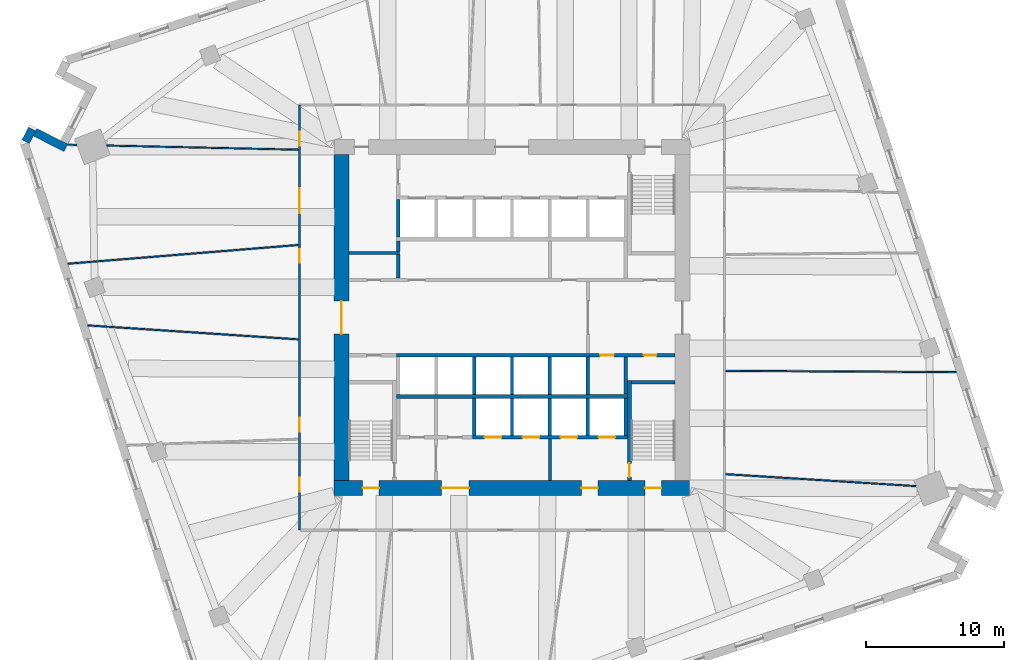
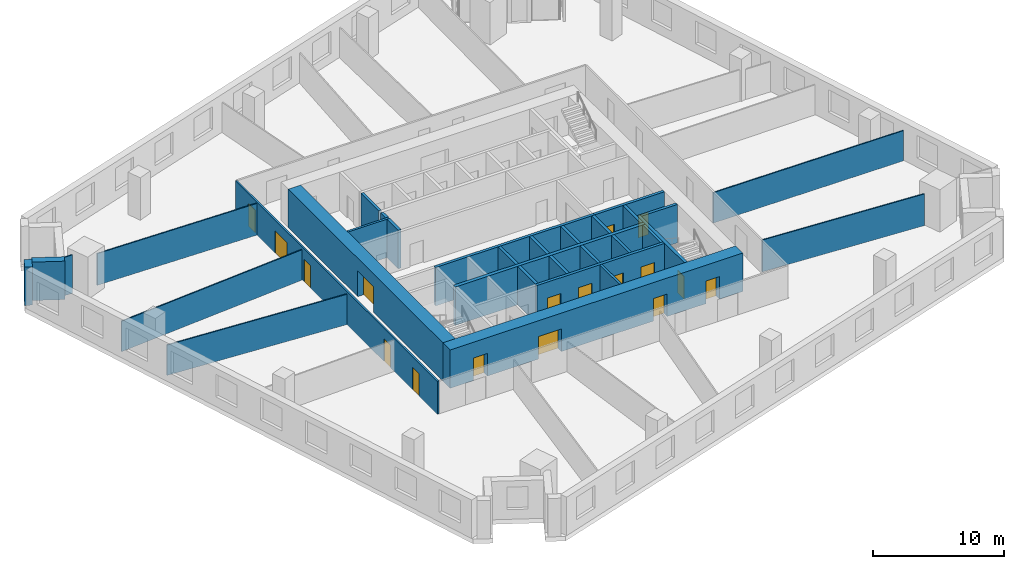
# One storey, part 7 of 12: 32 walls, 17 doors, 17 openings.
"""IFC4 building model written with IfcOpenShell, lengths in metres."""

from ifc_helpers import new_model, si_unit, direction, frame, frame_2d, origin, place, context, subcontext, project, spatial, rectangle, extrude, material, layer, layer_set, type_object, element, fill, save


model = new_model("IFC4")

# Units and contexts
model_context = context("Model", 3, precision=1e-05, world=origin(), true_north=direction((0.0, 1.0)))
body_context = subcontext(model_context, "Body", "Model", "MODEL_VIEW")
ifc_project = project(units=[si_unit("LENGTHUNIT", "METRE"), si_unit("AREAUNIT", "SQUARE_METRE"), si_unit("VOLUMEUNIT", "CUBIC_METRE"), si_unit("PLANEANGLEUNIT", "RADIAN"), si_unit("MASSUNIT", "GRAM", prefix="KILO")], contexts=[model_context])

# Site, building, storey
site_placement = place(None, origin())
site = spatial("IfcSite", under=ifc_project, at=site_placement, CompositionType="ELEMENT")
building_placement = place(site_placement, origin())
building = spatial("IfcBuilding", under=site, at=building_placement, Name="Dilmun Exchange Tower", CompositionType="ELEMENT")
storey_placement = place(building_placement, frame((0.0, 0.0, 98.10009765625)))
storey = spatial("IfcBuildingStorey", under=building, at=storey_placement, Name="L22", CompositionType="ELEMENT", Elevation=98.10009765625)

# Walls
ifc_material_1 = material(Name="Concrete C40/50", Category="concrete")
ifc_layer_1 = layer(ifc_material_1, 0.199951171875)
ifc_layer_set_1 = layer_set([ifc_layer_1], Name="Concrete C40/50")
wall_type_1 = type_object("IfcWallType", Name="Core partition wall 200", PredefinedType="PARTITIONING", material=ifc_layer_set_1)
wall_1_placement = place(storey_placement, frame((2.75, -11.794921875, 0.0), z_axis=(0.0, 0.0, 1.0), x_axis=(0.0, 1.0, 0.0)))
element("IfcWall", 1, at=wall_1_placement, inside=storey, type_object=wall_type_1, Name="L22 core partition wall 02", PredefinedType="PARTITIONING", context=body_context, shape_type="SweptSolid", body=[
    extrude(rectangle(XDim=2.989990234375, YDim=0.199951171875, at=frame_2d((1.4951171875, 0.0))), origin(), (0.0, 0.0, 1.0), 3.579833984375),
])
wall_2_placement = place(storey_placement, frame((-11.794921875, 4.675048828125, 0.0), z_axis=(0.0, 0.0, 1.0), x_axis=(1.0, 0.0, 0.0)))
element("IfcWall", 2, at=wall_2_placement, inside=storey, type_object=wall_type_1, Name="L22 core partition wall 14", PredefinedType="PARTITIONING", context=body_context, shape_type="SweptSolid", body=[
    extrude(rectangle(XDim=3.64501953125, YDim=0.199951171875, at=frame_2d((1.822509765625, 0.0))), origin(), (0.0, 0.0, 1.0), 3.579833984375),
])
ifc_layer_2 = layer(ifc_material_1, 0.25)
ifc_layer_set_2 = layer_set([ifc_layer_2], Name="Concrete C40/50")
wall_type_2 = type_object("IfcWallType", Name="Core partition wall 250", PredefinedType="PARTITIONING", material=ifc_layer_set_2)
wall_3_placement = place(storey_placement, frame((8.25, -5.544921875, 0.0), z_axis=(0.0, 0.0, 1.0), x_axis=(0.0, 1.0, 0.0)))
element("IfcWall", 3, at=wall_3_placement, inside=storey, type_object=wall_type_2, Name="L22 core partition wall 06", PredefinedType="PARTITIONING", context=body_context, shape_type="SweptSolid", body=[
    extrude(rectangle(XDim=2.68994140625, YDim=0.25, at=frame_2d((1.344970703125, 0.0))), origin(), (0.0, 0.0, 1.0), 3.579833984375),
])

# Wall, openings, doors
wall_4_placement = place(storey_placement, frame((5.6298828125, -2.72509765625, 0.0), z_axis=(0.0, 0.0, 1.0), x_axis=(1.0, 0.0, 0.0)))
wall_4 = element("IfcWall", 4, at=wall_4_placement, inside=storey, type_object=wall_type_2, Name="L22 core partition wall 08", PredefinedType="PARTITIONING", context=body_context, shape_type="SweptSolid", body=[
    extrude(rectangle(XDim=6.1650390625, YDim=0.25, at=frame_2d((3.08251953125, 0.0))), origin(), (0.0, 0.0, 1.0), 3.579833984375),
])
opening_1_placement = place(wall_4_placement, frame((0.7451171875, 0.0, 0.0)))
opening_1 = element("IfcOpeningElement", 5, at=opening_1_placement, cuts=wall_4, Name="Opening CD4", PredefinedType="OPENING", context=body_context, shape_type="SweptSolid", body=[
    extrude(rectangle(XDim=1.0, YDim=2.10009765625, at=frame_2d((0.5, 1.050048828125))), frame((0.0, 0.135009765625, 0.0), z_axis=(0.0, -1.0, 0.0), x_axis=(1.0, 0.0, 0.0)), (0.0, 0.0, 1.0), 0.27001953125),
])
opening_2_placement = place(wall_4_placement, frame((3.919921875, 0.0, 0.0)))
opening_2 = element("IfcOpeningElement", 6, at=opening_2_placement, cuts=wall_4, Name="Opening CD6", PredefinedType="OPENING", context=body_context, shape_type="SweptSolid", body=[
    extrude(rectangle(XDim=0.89990234375, YDim=2.10009765625, at=frame_2d((0.449951171875, 1.050048828125))), frame((0.0, 0.135009765625, 0.0), z_axis=(0.0, -1.0, 0.0), x_axis=(1.0, 0.0, 0.0)), (0.0, 0.0, 1.0), 0.27001953125),
])
ifc_material_2 = material(Name="Fire-rated steel door set", Category="steel")
door_type_1 = type_object("IfcDoorType", Name="Core room door 1000x2100", OperationType="SINGLE_SWING_LEFT", PredefinedType="DOOR", material=ifc_material_2)
door_1_placement = place(opening_1_placement, origin())
door_1 = element("IfcDoor", 7, at=door_1_placement, inside=storey, type_object=door_type_1, Name="L22 door Cleaners' store", OperationType="SINGLE_SWING_LEFT", OverallHeight=2.10009765625, OverallWidth=1.0, PredefinedType="DOOR", context=body_context, shape_type="SweptSolid", body=[
    extrude(rectangle(XDim=1.0, YDim=2.10009765625, at=frame_2d((0.5, 1.050048828125))), frame((0.0, 0.02490234375, 0.0), z_axis=(0.0, -1.0, 0.0), x_axis=(1.0, 0.0, 0.0)), (0.0, 0.0, 1.0), 0.050048828125),
])
fill(opening_1, door_1)
door_type_2 = type_object("IfcDoorType", Name="Core room door 900x2100", OperationType="SINGLE_SWING_LEFT", PredefinedType="DOOR", material=ifc_material_2)
door_2_placement = place(opening_2_placement, origin())
door_2 = element("IfcDoor", 8, at=door_2_placement, inside=storey, type_object=door_type_2, Name="L22 door Comms riser", OperationType="SINGLE_SWING_LEFT", OverallHeight=2.10009765625, OverallWidth=0.89990234375, PredefinedType="DOOR", context=body_context, shape_type="SweptSolid", body=[
    extrude(rectangle(XDim=0.89990234375, YDim=2.10009765625, at=frame_2d((0.449951171875, 1.050048828125))), frame((0.0, 0.02490234375, 0.0), z_axis=(0.0, -1.0, 0.0), x_axis=(1.0, 0.0, 0.0)), (0.0, 0.0, 1.0), 0.050048828125),
])
fill(opening_2, door_2)

# Walls
wall_5_placement = place(storey_placement, frame((-8.25, 2.85498046875, 0.0), z_axis=(0.0, 0.0, 1.0), x_axis=(0.0, 1.0, 0.0)))
element("IfcWall", 9, at=wall_5_placement, inside=storey, type_object=wall_type_2, Name="L22 core partition wall 11", PredefinedType="PARTITIONING", context=body_context, shape_type="SweptSolid", body=[
    extrude(rectangle(XDim=1.715087890625, YDim=0.25, at=frame_2d((0.857421875, 0.0))), origin(), (0.0, 0.0, 1.0), 3.579833984375),
])
wall_6_placement = place(storey_placement, frame((-8.25, 4.780029296875, 0.0), z_axis=(0.0, 0.0, 1.0), x_axis=(0.0, 1.0, 0.0)))
element("IfcWall", 10, at=wall_6_placement, inside=storey, type_object=wall_type_2, Name="L22 core partition wall 15", PredefinedType="PARTITIONING", context=body_context, shape_type="SweptSolid", body=[
    extrude(rectangle(XDim=0.764892578125, YDim=0.25, at=frame_2d((0.38232421875, 0.0))), origin(), (0.0, 0.0, 1.0), 3.579833984375),
])

# Wall, openings, doors
ifc_material_3 = material(Name="Concrete C80/95", Category="concrete")
ifc_layer_3 = layer(ifc_material_3, 1.10009765625)
ifc_layer_set_3 = layer_set([ifc_layer_3], Name="Concrete C80/95")
wall_type_3 = type_object("IfcWallType", Name="Core shear wall 1100 Concrete C80/95", PredefinedType="SHEAR", material=ifc_layer_set_3)
wall_7_placement = place(storey_placement, frame((-12.89990234375, -12.35009765625, 0.0), z_axis=(0.0, 0.0, 1.0), x_axis=(1.0, 0.0, 0.0)))
wall_7 = element("IfcWall", 11, at=wall_7_placement, inside=storey, type_object=wall_type_3, Name="L22 core shear wall S", PredefinedType="SHEAR", context=body_context, shape_type="SweptSolid", body=[
    extrude(rectangle(XDim=25.7998046875, YDim=1.10009765625, at=frame_2d((12.89990234375, 0.0))), origin(), (0.0, 0.0, 1.0), 3.579833984375),
])
opening_3_placement = place(wall_7_placement, frame((7.800048828125, 0.0, 0.0)))
opening_3 = element("IfcOpeningElement", 12, at=opening_3_placement, cuts=wall_7, Name="Opening CD2", PredefinedType="OPENING", context=body_context, shape_type="SweptSolid", body=[
    extrude(rectangle(XDim=2.0, YDim=2.10009765625, at=frame_2d((1.0, 1.050048828125))), frame((0.0, 0.56005859375, 0.0), z_axis=(0.0, -1.0, 0.0), x_axis=(1.0, 0.0, 0.0)), (0.0, 0.0, 1.0), 1.1201171875),
])
opening_4_placement = place(wall_7_placement, frame((17.925048828125, 0.0, 0.0)))
opening_4 = element("IfcOpeningElement", 13, at=opening_4_placement, cuts=wall_7, Name="Opening CD3", PredefinedType="OPENING", context=body_context, shape_type="SweptSolid", body=[
    extrude(rectangle(XDim=1.199951171875, YDim=2.10009765625, at=frame_2d((0.60009765625, 1.050048828125))), frame((0.0, 0.56005859375, 0.0), z_axis=(0.0, -1.0, 0.0), x_axis=(1.0, 0.0, 0.0)), (0.0, 0.0, 1.0), 1.1201171875),
])
opening_5_placement = place(wall_7_placement, frame((2.074951171875, 0.0, 0.0)))
opening_5 = element("IfcOpeningElement", 14, at=opening_5_placement, cuts=wall_7, Name="Opening CD3", PredefinedType="OPENING", context=body_context, shape_type="SweptSolid", body=[
    extrude(rectangle(XDim=1.199951171875, YDim=2.10009765625, at=frame_2d((0.60009765625, 1.050048828125))), frame((0.0, 0.56005859375, 0.0), z_axis=(0.0, -1.0, 0.0), x_axis=(1.0, 0.0, 0.0)), (0.0, 0.0, 1.0), 1.1201171875),
])
opening_6_placement = place(wall_7_placement, frame((22.52490234375, 0.0, 0.0)))
opening_6 = element("IfcOpeningElement", 15, at=opening_6_placement, cuts=wall_7, Name="Opening CD3", PredefinedType="OPENING", context=body_context, shape_type="SweptSolid", body=[
    extrude(rectangle(XDim=1.199951171875, YDim=2.10009765625, at=frame_2d((0.60009765625, 1.050048828125))), frame((0.0, 0.56005859375, 0.0), z_axis=(0.0, -1.0, 0.0), x_axis=(1.0, 0.0, 0.0)), (0.0, 0.0, 1.0), 1.1201171875),
])
door_type_3 = type_object("IfcDoorType", Name="Core service door 2000x2100", OperationType="DOUBLE_DOOR_DOUBLE_SWING", PredefinedType="DOOR", material=ifc_material_2)
door_3_placement = place(opening_3_placement, origin())
door_3 = element("IfcDoor", 16, at=door_3_placement, inside=storey, type_object=door_type_3, Name="L22 door South service lobby", OperationType="SINGLE_SWING_LEFT", OverallHeight=2.10009765625, OverallWidth=2.0, PredefinedType="DOOR", context=body_context, shape_type="SweptSolid", body=[
    extrude(rectangle(XDim=2.0, YDim=2.10009765625, at=frame_2d((1.0, 1.050048828125))), frame((0.0, 0.02490234375, 0.0), z_axis=(0.0, -1.0, 0.0), x_axis=(1.0, 0.0, 0.0)), (0.0, 0.0, 1.0), 0.050048828125),
])
fill(opening_3, door_3)
door_type_4 = type_object("IfcDoorType", Name="Stair exit door 1200x2100", OperationType="SINGLE_SWING_LEFT", PredefinedType="DOOR", material=ifc_material_2)
door_4_placement = place(opening_4_placement, origin())
door_4 = element("IfcDoor", 17, at=door_4_placement, inside=storey, type_object=door_type_4, Name="L22 door Fire-fighting lobby", OperationType="SINGLE_SWING_LEFT", OverallHeight=2.10009765625, OverallWidth=1.199951171875, PredefinedType="DOOR", context=body_context, shape_type="SweptSolid", body=[
    extrude(rectangle(XDim=1.199951171875, YDim=2.10009765625, at=frame_2d((0.60009765625, 1.050048828125))), frame((0.0, 0.02490234375, 0.0), z_axis=(0.0, -1.0, 0.0), x_axis=(1.0, 0.0, 0.0)), (0.0, 0.0, 1.0), 0.050048828125),
])
fill(opening_4, door_4)
door_5_placement = place(opening_5_placement, origin())
door_5 = element("IfcDoor", 18, at=door_5_placement, inside=storey, type_object=door_type_4, Name="L22 door Stair ST2", OperationType="SINGLE_SWING_LEFT", OverallHeight=2.10009765625, OverallWidth=1.199951171875, PredefinedType="DOOR", context=body_context, shape_type="SweptSolid", body=[
    extrude(rectangle(XDim=1.199951171875, YDim=2.10009765625, at=frame_2d((0.60009765625, 1.050048828125))), frame((0.0, 0.02490234375, 0.0), z_axis=(0.0, -1.0, 0.0), x_axis=(1.0, 0.0, 0.0)), (0.0, 0.0, 1.0), 0.050048828125),
])
fill(opening_5, door_5)
door_6_placement = place(opening_6_placement, origin())
door_6 = element("IfcDoor", 19, at=door_6_placement, inside=storey, type_object=door_type_4, Name="L22 door Stair ST3", OperationType="SINGLE_SWING_LEFT", OverallHeight=2.10009765625, OverallWidth=1.199951171875, PredefinedType="DOOR", context=body_context, shape_type="SweptSolid", body=[
    extrude(rectangle(XDim=1.199951171875, YDim=2.10009765625, at=frame_2d((0.60009765625, 1.050048828125))), frame((0.0, 0.02490234375, 0.0), z_axis=(0.0, -1.0, 0.0), x_axis=(1.0, 0.0, 0.0)), (0.0, 0.0, 1.0), 0.050048828125),
])
fill(opening_6, door_6)

# Wall, opening, door
wall_8_placement = place(storey_placement, frame((-12.35009765625, -11.800048828125, 0.0), z_axis=(0.0, 0.0, 1.0), x_axis=(0.0, 1.0, 0.0)))
wall_8 = element("IfcWall", 20, at=wall_8_placement, inside=storey, type_object=wall_type_3, Name="L22 core shear wall W", PredefinedType="SHEAR", context=body_context, shape_type="SweptSolid", body=[
    extrude(rectangle(XDim=23.60009765625, YDim=1.10009765625, at=frame_2d((11.800048828125, 0.0))), origin(), (0.0, 0.0, 1.0), 3.579833984375),
])
opening_7_placement = place(wall_8_placement, frame((10.60009765625, 0.0, 0.0)))
opening_7 = element("IfcOpeningElement", 21, at=opening_7_placement, cuts=wall_8, Name="Opening CD1", PredefinedType="OPENING", context=body_context, shape_type="SweptSolid", body=[
    extrude(rectangle(XDim=2.39990234375, YDim=2.39990234375, at=frame_2d((1.199951171875, 1.199951171875))), frame((0.0, 0.56005859375, 0.0), z_axis=(0.0, -1.0, 0.0), x_axis=(1.0, 0.0, 0.0)), (0.0, 0.0, 1.0), 1.1201171875),
])
door_type_5 = type_object("IfcDoorType", Name="Core lobby door 2400x2400", OperationType="DOUBLE_DOOR_DOUBLE_SWING", PredefinedType="DOOR", material=ifc_material_2)
door_7_placement = place(opening_7_placement, origin())
door_7 = element("IfcDoor", 22, at=door_7_placement, inside=storey, type_object=door_type_5, Name="L22 door Central lift lobby", OperationType="SINGLE_SWING_LEFT", OverallHeight=2.39990234375, OverallWidth=2.39990234375, PredefinedType="DOOR", context=body_context, shape_type="SweptSolid", body=[
    extrude(rectangle(XDim=2.39990234375, YDim=2.39990234375, at=frame_2d((1.199951171875, 1.199951171875))), frame((0.0, 0.02490234375, 0.0), z_axis=(0.0, -1.0, 0.0), x_axis=(1.0, 0.0, 0.0)), (0.0, 0.0, 1.0), 0.050048828125),
])
fill(opening_7, door_7)

# Wall, openings, doors
ifc_material_4 = material(Name="Corridor wall 150")
ifc_layer_4 = layer(ifc_material_4, 0.14990234375)
ifc_layer_set_4 = layer_set([ifc_layer_4], Name="Corridor wall 150")
wall_type_4 = type_object("IfcWallType", Name="Corridor wall 150", PredefinedType="PARTITIONING", material=ifc_layer_set_4)
wall_9_placement = place(storey_placement, frame((-15.39990234375, -15.39990234375, 0.0), z_axis=(0.0, 0.0, 1.0), x_axis=(0.0, 1.0, 0.0)))
wall_9 = element("IfcWall", 23, at=wall_9_placement, inside=storey, type_object=wall_type_4, Name="Corridor wall", PredefinedType="PARTITIONING", context=body_context, shape_type="SweptSolid", body=[
    extrude(rectangle(XDim=30.7998046875, YDim=0.14990234375, at=frame_2d((15.39990234375, 0.0))), origin(), (0.0, 0.0, 1.0), 3.079833984375),
])
opening_8_placement = place(wall_9_placement, frame((22.967041015625, 0.0, 0.0)))
opening_8 = element("IfcOpeningElement", 24, at=opening_8_placement, cuts=wall_9, Name="Opening TF20-D01", PredefinedType="OPENING", context=body_context, shape_type="SweptSolid", body=[
    extrude(rectangle(XDim=1.800048828125, YDim=2.10009765625, at=frame_2d((0.89990234375, 1.050048828125))), frame((0.0, 0.0849609375, 0.0), z_axis=(0.0, -1.0, 0.0), x_axis=(1.0, 0.0, 0.0)), (0.0, 0.0, 1.0), 0.169921875),
])
opening_9_placement = place(wall_9_placement, frame((19.369873046875, 0.0, 0.0)))
opening_9 = element("IfcOpeningElement", 25, at=opening_9_placement, cuts=wall_9, Name="Opening TF20-D02", PredefinedType="OPENING", context=body_context, shape_type="SweptSolid", body=[
    extrude(rectangle(XDim=1.0, YDim=2.10009765625, at=frame_2d((0.5, 1.050048828125))), frame((0.0, 0.0849609375, 0.0), z_axis=(0.0, -1.0, 0.0), x_axis=(1.0, 0.0, 0.0)), (0.0, 0.0, 1.0), 0.169921875),
])
opening_10_placement = place(wall_9_placement, frame((7.150390625, 0.0, 0.0)))
opening_10 = element("IfcOpeningElement", 26, at=opening_10_placement, cuts=wall_9, Name="Opening TF20-D03", PredefinedType="OPENING", context=body_context, shape_type="SweptSolid", body=[
    extrude(rectangle(XDim=1.0, YDim=2.10009765625, at=frame_2d((0.5, 1.050048828125))), frame((0.0, 0.0849609375, 0.0), z_axis=(0.0, -1.0, 0.0), x_axis=(1.0, 0.0, 0.0)), (0.0, 0.0, 1.0), 0.169921875),
])
opening_11_placement = place(wall_9_placement, frame((27.86328125, 0.0, 0.0)))
opening_11 = element("IfcOpeningElement", 27, at=opening_11_placement, cuts=wall_9, Name="Opening TF20-D05", PredefinedType="OPENING", context=body_context, shape_type="SweptSolid", body=[
    extrude(rectangle(XDim=1.0, YDim=2.10009765625, at=frame_2d((0.5, 1.050048828125))), frame((0.0, 0.0849609375, 0.0), z_axis=(0.0, -1.0, 0.0), x_axis=(1.0, 0.0, 0.0)), (0.0, 0.0, 1.0), 0.169921875),
])
opening_12_placement = place(wall_9_placement, frame((2.800048828125, 0.0, 0.0)))
opening_12 = element("IfcOpeningElement", 28, at=opening_12_placement, cuts=wall_9, Name="Opening TF20-D07", PredefinedType="OPENING", context=body_context, shape_type="SweptSolid", body=[
    extrude(rectangle(XDim=1.0, YDim=2.10009765625, at=frame_2d((0.5, 1.050048828125))), frame((0.0, 0.0849609375, 0.0), z_axis=(0.0, -1.0, 0.0), x_axis=(1.0, 0.0, 0.0)), (0.0, 0.0, 1.0), 0.169921875),
])
ifc_material_5 = material(Name="Fire door 1000 x 2100")
door_type_6 = type_object("IfcDoorType", Name="Fire door 1000 x 2100", OperationType="NOTDEFINED", PredefinedType="DOOR", material=ifc_material_5)
door_8_placement = place(opening_9_placement, origin())
door_8 = element("IfcDoor", 29, at=door_8_placement, inside=storey, type_object=door_type_6, Name="Door TF20-D02", OperationType="SINGLE_SWING_RIGHT", OverallHeight=2.10009765625, OverallWidth=1.0, PredefinedType="DOOR", context=body_context, shape_type="SweptSolid", body=[
    extrude(rectangle(XDim=1.0, YDim=2.10009765625, at=frame_2d((0.5, 1.050048828125))), frame((0.0, 0.02490234375, 0.0), z_axis=(0.0, -1.0, 0.0), x_axis=(1.0, 0.0, 0.0)), (0.0, 0.0, 1.0), 0.050048828125),
])
fill(opening_9, door_8)
door_9_placement = place(opening_10_placement, origin())
door_9 = element("IfcDoor", 30, at=door_9_placement, inside=storey, type_object=door_type_6, Name="Door TF20-D03", OperationType="SINGLE_SWING_LEFT", OverallHeight=2.10009765625, OverallWidth=1.0, PredefinedType="DOOR", context=body_context, shape_type="SweptSolid", body=[
    extrude(rectangle(XDim=1.0, YDim=2.10009765625, at=frame_2d((0.5, 1.050048828125))), frame((0.0, 0.02490234375, 0.0), z_axis=(0.0, -1.0, 0.0), x_axis=(1.0, 0.0, 0.0)), (0.0, 0.0, 1.0), 0.050048828125),
])
fill(opening_10, door_9)
door_10_placement = place(opening_11_placement, origin())
door_10 = element("IfcDoor", 31, at=door_10_placement, inside=storey, type_object=door_type_6, Name="Door TF20-D05", OperationType="SINGLE_SWING_RIGHT", OverallHeight=2.10009765625, OverallWidth=1.0, PredefinedType="DOOR", context=body_context, shape_type="SweptSolid", body=[
    extrude(rectangle(XDim=1.0, YDim=2.10009765625, at=frame_2d((0.5, 1.050048828125))), frame((0.0, 0.02490234375, 0.0), z_axis=(0.0, -1.0, 0.0), x_axis=(1.0, 0.0, 0.0)), (0.0, 0.0, 1.0), 0.050048828125),
])
fill(opening_11, door_10)
door_11_placement = place(opening_12_placement, origin())
door_11 = element("IfcDoor", 32, at=door_11_placement, inside=storey, type_object=door_type_6, Name="Door TF20-D07", OperationType="SINGLE_SWING_RIGHT", OverallHeight=2.10009765625, OverallWidth=1.0, PredefinedType="DOOR", context=body_context, shape_type="SweptSolid", body=[
    extrude(rectangle(XDim=1.0, YDim=2.10009765625, at=frame_2d((0.5, 1.050048828125))), frame((0.0, 0.02490234375, 0.0), z_axis=(0.0, -1.0, 0.0), x_axis=(1.0, 0.0, 0.0)), (0.0, 0.0, 1.0), 0.050048828125),
])
fill(opening_12, door_11)
ifc_material_6 = material(Name="Fire door pair 1800 x 2100")
door_type_7 = type_object("IfcDoorType", Name="Fire door pair 1800 x 2100", OperationType="NOTDEFINED", PredefinedType="DOOR", material=ifc_material_6)
door_12_placement = place(opening_8_placement, origin())
door_12 = element("IfcDoor", 33, at=door_12_placement, inside=storey, type_object=door_type_7, Name="Door TF20-D01", OperationType="DOUBLE_DOOR_SINGLE_SWING", OverallHeight=2.10009765625, OverallWidth=1.800048828125, PredefinedType="DOOR", context=body_context, shape_type="SweptSolid", body=[
    extrude(rectangle(XDim=1.800048828125, YDim=2.10009765625, at=frame_2d((0.89990234375, 1.050048828125))), frame((0.0, 0.02490234375, 0.0), z_axis=(0.0, -1.0, 0.0), x_axis=(1.0, 0.0, 0.0)), (0.0, 0.0, 1.0), 0.050048828125),
])
fill(opening_8, door_12)

# Walls
ifc_layer_5 = layer(ifc_material_1, 0.300048828125)
ifc_layer_set_5 = layer_set([ifc_layer_5], Name="Concrete C40/50")
wall_type_5 = type_object("IfcWallType", Name="Lift shaft shared wall 300", PredefinedType="SOLIDWALL", material=ifc_layer_set_5)
wall_10_placement = place(storey_placement, frame((-8.375, -5.699951171875, 0.0), z_axis=(0.0, 0.0, 1.0), x_axis=(1.0, 0.0, 0.0)))
element("IfcWall", 34, at=wall_10_placement, inside=storey, type_object=wall_type_5, Name="L22 lift shaft rear wall S", PredefinedType="SOLIDWALL", context=body_context, shape_type="SweptSolid", body=[
    extrude(rectangle(XDim=16.75, YDim=0.300048828125, at=frame_2d((8.375, 0.0))), origin(), (0.0, 0.0, 1.0), 3.579833984375),
])
ifc_layer_6 = layer(ifc_material_1, 0.25)
ifc_layer_set_6 = layer_set([ifc_layer_6], Name="Concrete C40/50")
wall_type_6 = type_object("IfcWallType", Name="Lift shaft wall 250", PredefinedType="SOLIDWALL", material=ifc_layer_set_6)
wall_11_placement = place(storey_placement, frame((-8.25, 5.85009765625, 0.0), z_axis=(0.0, 0.0, 1.0), x_axis=(0.0, 1.0, 0.0)))
element("IfcWall", 35, at=wall_11_placement, inside=storey, type_object=wall_type_6, Name="L22 lift shaft divider N20", PredefinedType="SOLIDWALL", context=body_context, shape_type="SweptSolid", body=[
    extrude(rectangle(XDim=2.699951171875, YDim=0.25, at=frame_2d((1.35009765625, 0.0))), origin(), (0.0, 0.0, 1.0), 3.579833984375),
])
wall_12_placement = place(storey_placement, frame((-8.375, -2.72509765625, 0.0), z_axis=(0.0, 0.0, 1.0), x_axis=(1.0, 0.0, 0.0)))
element("IfcWall", 36, at=wall_12_placement, inside=storey, type_object=wall_type_6, Name="L22 lift shaft front wall S1", PredefinedType="SOLIDWALL", context=body_context, shape_type="SweptSolid", body=[
    extrude(rectangle(XDim=14.0, YDim=0.25, at=frame_2d((7.0, 0.0))), origin(), (0.0, 0.0, 1.0), 3.579833984375),
])
for number, where, z_axis, x_axis, name in (
    (37, (-2.75, -5.550048828125, 0.0), (0.0, 0.0, 1.0), (0.0, 1.0, 0.0), "L22 lift shaft divider S12"),
    (38, (0.0, -5.550048828125, 0.0), (0.0, 0.0, 1.0), (0.0, 1.0, 0.0), "L22 lift shaft divider S13"),
    (39, (2.75, -5.550048828125, 0.0), (0.0, 0.0, 1.0), (0.0, 1.0, 0.0), "L22 lift shaft divider S14"),
    (40, (5.5, -5.550048828125, 0.0), (0.0, 0.0, 1.0), (0.0, 1.0, 0.0), "L22 lift shaft divider S15"),
):
    element("IfcWall", number, at=place(storey_placement, frame(where, z_axis=z_axis, x_axis=x_axis)), inside=storey, type_object=wall_type_6, Name=name, PredefinedType="SOLIDWALL", context=body_context, shape_type="SweptSolid", body=[
        extrude(rectangle(XDim=2.699951171875, YDim=0.25, at=frame_2d((1.35009765625, 0.0))), origin(), (0.0, 0.0, 1.0), 3.579833984375),
    ])

# Wall, openings, doors
wall_13_placement = place(storey_placement, frame((-2.875, -8.675048828125, 0.0), z_axis=(0.0, 0.0, 1.0), x_axis=(1.0, 0.0, 0.0)))
wall_13 = element("IfcWall", 41, at=wall_13_placement, inside=storey, type_object=wall_type_6, Name="L22 lift shaft front wall S2", PredefinedType="SOLIDWALL", context=body_context, shape_type="SweptSolid", body=[
    extrude(rectangle(XDim=11.25, YDim=0.25, at=frame_2d((5.625, 0.0))), origin(), (0.0, 0.0, 1.0), 3.579833984375),
])
opening_13_placement = place(wall_13_placement, frame((0.89990234375, 0.0, 0.0)))
opening_13 = element("IfcOpeningElement", 42, at=opening_13_placement, cuts=wall_13, Name="Opening LD", PredefinedType="OPENING", context=body_context, shape_type="SweptSolid", body=[
    extrude(rectangle(XDim=1.199951171875, YDim=2.10009765625, at=frame_2d((0.60009765625, 1.050048828125))), frame((0.0, 0.135009765625, 0.0), z_axis=(0.0, -1.0, 0.0), x_axis=(1.0, 0.0, 0.0)), (0.0, 0.0, 1.0), 0.27001953125),
])
opening_14_placement = place(wall_13_placement, frame((3.64990234375, 0.0, 0.0)))
opening_14 = element("IfcOpeningElement", 43, at=opening_14_placement, cuts=wall_13, Name="Opening LD", PredefinedType="OPENING", context=body_context, shape_type="SweptSolid", body=[
    extrude(rectangle(XDim=1.199951171875, YDim=2.10009765625, at=frame_2d((0.60009765625, 1.050048828125))), frame((0.0, 0.135009765625, 0.0), z_axis=(0.0, -1.0, 0.0), x_axis=(1.0, 0.0, 0.0)), (0.0, 0.0, 1.0), 0.27001953125),
])
opening_15_placement = place(wall_13_placement, frame((6.39990234375, 0.0, 0.0)))
opening_15 = element("IfcOpeningElement", 44, at=opening_15_placement, cuts=wall_13, Name="Opening LD", PredefinedType="OPENING", context=body_context, shape_type="SweptSolid", body=[
    extrude(rectangle(XDim=1.199951171875, YDim=2.10009765625, at=frame_2d((0.60009765625, 1.050048828125))), frame((0.0, 0.135009765625, 0.0), z_axis=(0.0, -1.0, 0.0), x_axis=(1.0, 0.0, 0.0)), (0.0, 0.0, 1.0), 0.27001953125),
])
opening_16_placement = place(wall_13_placement, frame((9.14990234375, 0.0, 0.0)))
opening_16 = element("IfcOpeningElement", 45, at=opening_16_placement, cuts=wall_13, Name="Opening LD", PredefinedType="OPENING", context=body_context, shape_type="SweptSolid", body=[
    extrude(rectangle(XDim=1.199951171875, YDim=2.10009765625, at=frame_2d((0.60009765625, 1.050048828125))), frame((0.0, 0.135009765625, 0.0), z_axis=(0.0, -1.0, 0.0), x_axis=(1.0, 0.0, 0.0)), (0.0, 0.0, 1.0), 0.27001953125),
])
door_type_8 = type_object("IfcDoorType", Name="Lift landing door 1200x2100", OperationType="DOUBLE_DOOR_SLIDING", PredefinedType="DOOR", material=ifc_material_2)
door_13_placement = place(opening_13_placement, origin())
door_13 = element("IfcDoor", 46, at=door_13_placement, inside=storey, type_object=door_type_8, Name="L22 landing door SV1", OperationType="DOUBLE_DOOR_SLIDING", OverallHeight=2.10009765625, OverallWidth=1.199951171875, PredefinedType="DOOR", context=body_context, shape_type="SweptSolid", body=[
    extrude(rectangle(XDim=1.199951171875, YDim=2.10009765625, at=frame_2d((0.60009765625, 1.050048828125))), frame((0.0, 0.02490234375, 0.0), z_axis=(0.0, -1.0, 0.0), x_axis=(1.0, 0.0, 0.0)), (0.0, 0.0, 1.0), 0.050048828125),
])
fill(opening_13, door_13)
door_14_placement = place(opening_14_placement, origin())
door_14 = element("IfcDoor", 47, at=door_14_placement, inside=storey, type_object=door_type_8, Name="L22 landing door SV2", OperationType="DOUBLE_DOOR_SLIDING", OverallHeight=2.10009765625, OverallWidth=1.199951171875, PredefinedType="DOOR", context=body_context, shape_type="SweptSolid", body=[
    extrude(rectangle(XDim=1.199951171875, YDim=2.10009765625, at=frame_2d((0.60009765625, 1.050048828125))), frame((0.0, 0.02490234375, 0.0), z_axis=(0.0, -1.0, 0.0), x_axis=(1.0, 0.0, 0.0)), (0.0, 0.0, 1.0), 0.050048828125),
])
fill(opening_14, door_14)
door_15_placement = place(opening_15_placement, origin())
door_15 = element("IfcDoor", 48, at=door_15_placement, inside=storey, type_object=door_type_8, Name="L22 landing door FF1", OperationType="DOUBLE_DOOR_SLIDING", OverallHeight=2.10009765625, OverallWidth=1.199951171875, PredefinedType="DOOR", context=body_context, shape_type="SweptSolid", body=[
    extrude(rectangle(XDim=1.199951171875, YDim=2.10009765625, at=frame_2d((0.60009765625, 1.050048828125))), frame((0.0, 0.02490234375, 0.0), z_axis=(0.0, -1.0, 0.0), x_axis=(1.0, 0.0, 0.0)), (0.0, 0.0, 1.0), 0.050048828125),
])
fill(opening_15, door_15)
door_16_placement = place(opening_16_placement, origin())
door_16 = element("IfcDoor", 49, at=door_16_placement, inside=storey, type_object=door_type_8, Name="L22 landing door FF2", OperationType="DOUBLE_DOOR_SLIDING", OverallHeight=2.10009765625, OverallWidth=1.199951171875, PredefinedType="DOOR", context=body_context, shape_type="SweptSolid", body=[
    extrude(rectangle(XDim=1.199951171875, YDim=2.10009765625, at=frame_2d((0.60009765625, 1.050048828125))), frame((0.0, 0.02490234375, 0.0), z_axis=(0.0, -1.0, 0.0), x_axis=(1.0, 0.0, 0.0)), (0.0, 0.0, 1.0), 0.050048828125),
])
fill(opening_16, door_16)

# Walls
for number, where, z_axis, x_axis, name in (
    (50, (-2.75, -8.550048828125, 0.0), (0.0, 0.0, 1.0), (0.0, 1.0, 0.0), "L22 lift shaft divider S22"),
    (51, (0.0, -8.550048828125, 0.0), (0.0, 0.0, 1.0), (0.0, 1.0, 0.0), "L22 lift shaft divider S23"),
    (52, (2.75, -8.550048828125, 0.0), (0.0, 0.0, 1.0), (0.0, 1.0, 0.0), "L22 lift shaft divider S24"),
    (53, (5.5, -8.550048828125, 0.0), (0.0, 0.0, 1.0), (0.0, 1.0, 0.0), "L22 lift shaft divider S25"),
    (54, (8.25, -8.550048828125, 0.0), (0.0, 0.0, 1.0), (0.0, 1.0, 0.0), "L22 lift shaft divider S26"),
):
    element("IfcWall", number, at=place(storey_placement, frame(where, z_axis=z_axis, x_axis=x_axis)), inside=storey, type_object=wall_type_6, Name=name, PredefinedType="SOLIDWALL", context=body_context, shape_type="SweptSolid", body=[
        extrude(rectangle(XDim=2.699951171875, YDim=0.25, at=frame_2d((1.35009765625, 0.0))), origin(), (0.0, 0.0, 1.0), 3.579833984375),
    ])
ifc_material_7 = material(Name="Partition 100")
ifc_layer_7 = layer(ifc_material_7, 0.10009765625)
ifc_layer_set_7 = layer_set([ifc_layer_7], Name="Partition 100")
wall_type_7 = type_object("IfcWallType", Name="Partition 100", PredefinedType="PARTITIONING", material=ifc_layer_set_7)
wall_14_placement = place(storey_placement, frame((-32.196044921875, 12.528564453125, 0.0), z_axis=(0.0, 0.0, 1.0), x_axis=(0.999759697185, -0.021921402419, 0.0)))
element("IfcWall", 55, at=wall_14_placement, inside=storey, type_object=wall_type_7, Name="Partition", PredefinedType="PARTITIONING", context=body_context, shape_type="SweptSolid", body=[
    extrude(rectangle(XDim=0.679443359375, YDim=0.10009765625, at=frame_2d((0.33984375, 0.0))), origin(), (0.0, 0.0, 1.0), 3.579833984375),
])
wall_15_placement = place(storey_placement, frame((-32.179443359375, 3.904296875, 0.0), z_axis=(0.0, 0.0, 1.0), x_axis=(0.996703590135, 0.081129238943, 0.0)))
element("IfcWall", 56, at=wall_15_placement, inside=storey, type_object=wall_type_7, Name="Partition", PredefinedType="PARTITIONING", context=body_context, shape_type="SweptSolid", body=[
    extrude(rectangle(XDim=16.755615234375, YDim=0.10009765625, at=frame_2d((8.3779296875, 0.0))), origin(), (0.0, 0.0, 1.0), 2.829833984375),
])
wall_16_placement = place(storey_placement, frame((-30.72802734375, -0.56298828125, 0.0), z_axis=(0.0, 0.0, 1.0), x_axis=(0.997806523093, -0.066197752777, 0.0)))
element("IfcWall", 57, at=wall_16_placement, inside=storey, type_object=wall_type_7, Name="Partition", PredefinedType="PARTITIONING", context=body_context, shape_type="SweptSolid", body=[
    extrude(rectangle(XDim=15.283203125, YDim=0.10009765625, at=frame_2d((7.6416015625, 0.0))), origin(), (0.0, 0.0, 1.0), 2.829833984375),
])
wall_17_placement = place(storey_placement, frame((-29.361083984375, 12.466796875, 0.0), z_axis=(0.0, 0.0, 1.0), x_axis=(0.999763547956, -0.021745072509, 0.0)))
element("IfcWall", 58, at=wall_17_placement, inside=storey, type_object=wall_type_7, Name="Partition", PredefinedType="PARTITIONING", context=body_context, shape_type="SweptSolid", body=[
    extrude(rectangle(XDim=13.88818359375, YDim=0.10009765625, at=frame_2d((6.944091796875, 0.0))), origin(), (0.0, 0.0, 1.0), 2.9599609375),
])
wall_18_placement = place(storey_placement, frame((15.47802734375, -11.33984375, 0.0), z_axis=(0.0, 0.0, 1.0), x_axis=(0.998040108865, -0.062577480745, 0.0)))
element("IfcWall", 59, at=wall_18_placement, inside=storey, type_object=wall_type_7, Name="Partition", PredefinedType="PARTITIONING", context=body_context, shape_type="SweptSolid", body=[
    extrude(rectangle(XDim=13.81103515625, YDim=0.10009765625, at=frame_2d((6.905517578125, 0.0))), origin(), (0.0, 0.0, 1.0), 2.9599609375),
])
wall_19_placement = place(storey_placement, frame((15.475341796875, -3.85546875, 0.0), z_axis=(0.0, 0.0, 1.0), x_axis=(0.999985480582, -0.005388749797, 0.0)))
element("IfcWall", 60, at=wall_19_placement, inside=storey, type_object=wall_type_7, Name="Partition", PredefinedType="PARTITIONING", context=body_context, shape_type="SweptSolid", body=[
    extrude(rectangle(XDim=16.7177734375, YDim=0.10009765625, at=frame_2d((8.35888671875, 0.0))), origin(), (0.0, 0.0, 1.0), 2.829833984375),
])
ifc_material_8 = material(Name="Precast concrete C50/60", Category="concrete")
ifc_layer_8 = layer(ifc_material_8, 0.60009765625)
ifc_layer_set_8 = layer_set([ifc_layer_8], Name="Precast concrete C50/60")
wall_type_8 = type_object("IfcWallType", Name="Precast stone-clad wall 600", PredefinedType="STANDARD", material=ifc_layer_set_8)
wall_20_placement = place(storey_placement, frame((-32.31591796875, 12.29736328125, 0.0), z_axis=(0.0, 0.0, 1.0), x_axis=(-0.891023102287, 0.453957961921, 0.0)))
element("IfcWall", 61, at=wall_20_placement, inside=storey, type_object=wall_type_8, Name="Facade wall L22-07", PredefinedType="STANDARD", context=body_context, shape_type="SweptSolid", body=[
    extrude(rectangle(XDim=2.500244140625, YDim=0.60009765625, at=frame_2d((1.25, 0.0))), origin(), (0.0, 0.0, 1.0), 3.579833984375),
])
wall_21_placement = place(storey_placement, frame((-34.765380859375, 13.65771484375, 0.0), z_axis=(0.0, 0.0, 1.0), x_axis=(-0.454055955632, -0.890973169717, 0.0)))
element("IfcWall", 62, at=wall_21_placement, inside=storey, type_object=wall_type_8, Name="Facade wall L22-08", PredefinedType="STANDARD", context=body_context, shape_type="SweptSolid", body=[
    extrude(rectangle(XDim=1.011474609375, YDim=0.60009765625, at=frame_2d((0.505859375, 0.0))), origin(), (0.0, 0.0, 1.0), 3.579833984375),
])
ifc_layer_9 = layer(ifc_material_1, 0.25)
ifc_layer_set_9 = layer_set([ifc_layer_9], Name="Concrete C40/50")
wall_type_9 = type_object("IfcWallType", Name="Stair end wall 250", PredefinedType="SOLIDWALL", material=ifc_layer_set_9)
wall_22_placement = place(storey_placement, frame((8.64990234375, -4.675048828125, 0.0), z_axis=(0.0, 0.0, 1.0), x_axis=(1.0, 0.0, 0.0)))
element("IfcWall", 63, at=wall_22_placement, inside=storey, type_object=wall_type_9, Name="L22 ST3 far wall", PredefinedType="SOLIDWALL", context=body_context, shape_type="SweptSolid", body=[
    extrude(rectangle(XDim=3.150146484375, YDim=0.25, at=frame_2d((1.5751953125, 0.0))), origin(), (0.0, 0.0, 1.0), 3.579833984375),
])

# Wall, opening, door
ifc_layer_10 = layer(ifc_material_1, 0.27490234375)
ifc_layer_set_10 = layer_set([ifc_layer_10], Name="Concrete C40/50")
wall_type_10 = type_object("IfcWallType", Name="Stair wall 275", PredefinedType="SOLIDWALL", material=ifc_layer_set_10)
wall_23_placement = place(storey_placement, frame((8.512451171875, -4.550048828125, 0.0), z_axis=(0.0, 0.0, 1.0), x_axis=(0.0, -1.0, 0.0)))
wall_23 = element("IfcWall", 64, at=wall_23_placement, inside=storey, type_object=wall_type_10, Name="L22 ST3 wall to lift block", PredefinedType="SOLIDWALL", context=body_context, shape_type="SweptSolid", body=[
    extrude(rectangle(XDim=7.25, YDim=0.27490234375, at=frame_2d((3.625, 0.0))), origin(), (0.0, 0.0, 1.0), 3.579833984375),
])
opening_17_placement = place(wall_23_placement, frame((6.0, 0.0, 0.0)))
opening_17 = element("IfcOpeningElement", 65, at=opening_17_placement, cuts=wall_23, Name="Opening CD4", PredefinedType="OPENING", context=body_context, shape_type="SweptSolid", body=[
    extrude(rectangle(XDim=1.0, YDim=2.10009765625, at=frame_2d((0.5, 1.050048828125))), frame((0.0, 0.1474609375, 0.0), z_axis=(0.0, -1.0, 0.0), x_axis=(1.0, 0.0, 0.0)), (0.0, 0.0, 1.0), 0.294921875),
])
door_17_placement = place(opening_17_placement, origin())
door_17 = element("IfcDoor", 66, at=door_17_placement, inside=storey, type_object=door_type_1, Name="L22 door ST3 from lobby", OperationType="SINGLE_SWING_LEFT", OverallHeight=2.10009765625, OverallWidth=1.0, PredefinedType="DOOR", context=body_context, shape_type="SweptSolid", body=[
    extrude(rectangle(XDim=1.0, YDim=2.10009765625, at=frame_2d((0.5, 1.050048828125))), frame((0.0, 0.02490234375, 0.0), z_axis=(0.0, -1.0, 0.0), x_axis=(1.0, 0.0, 0.0)), (0.0, 0.0, 1.0), 0.050048828125),
])
fill(opening_17, door_17)

save(model, "model.ifc")
